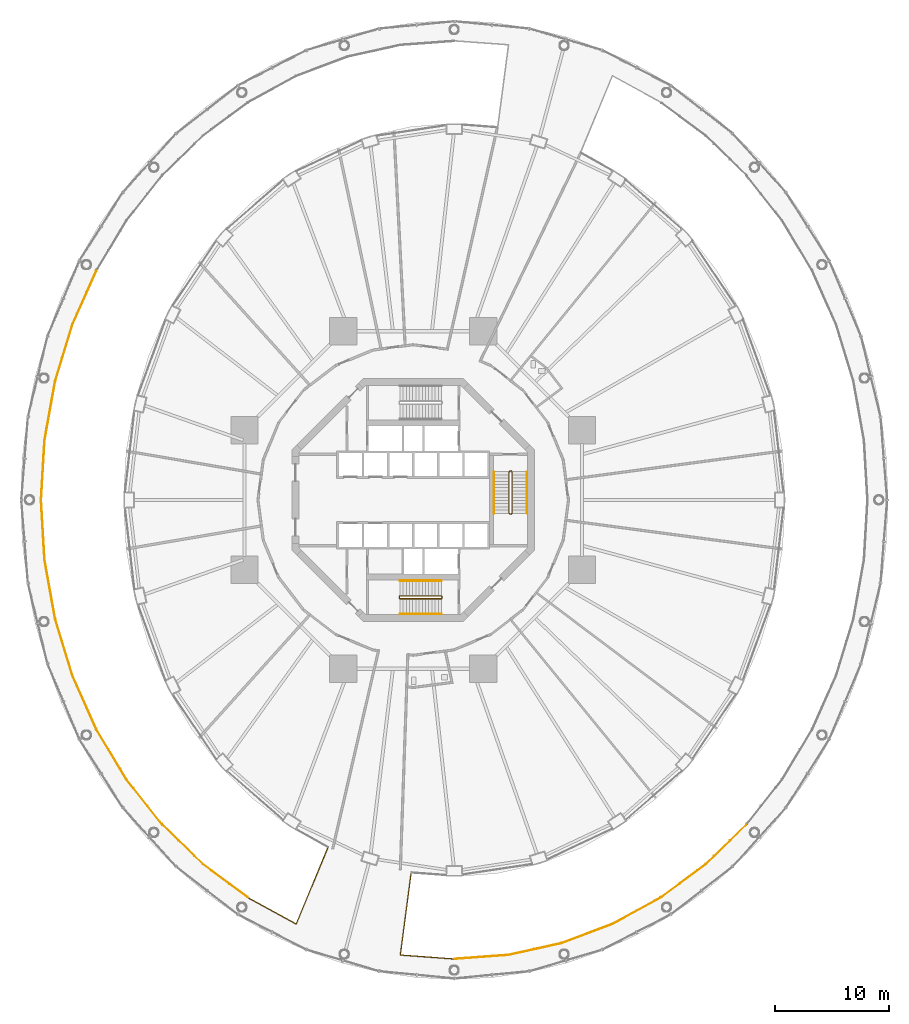
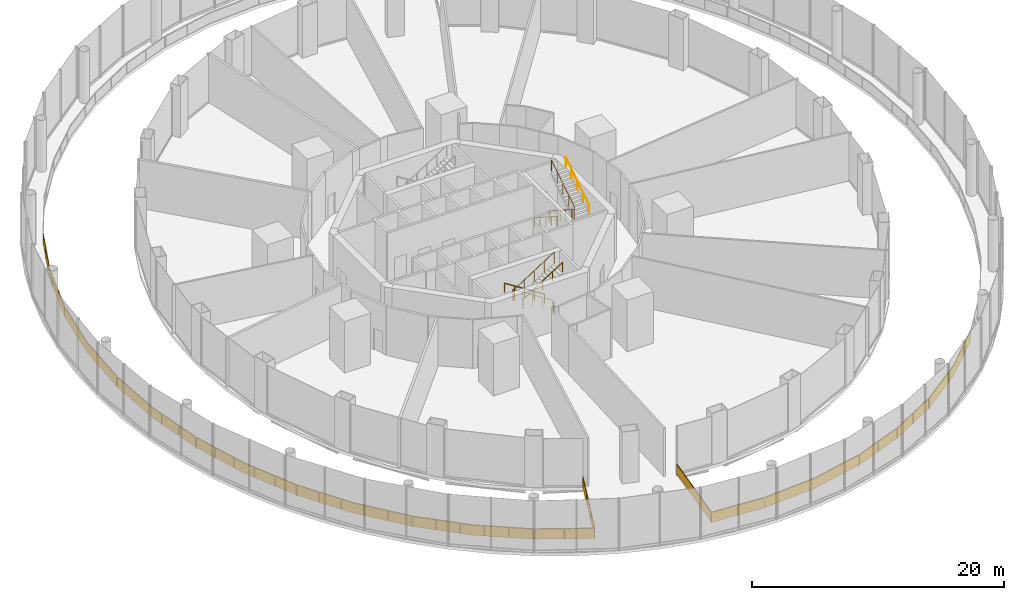
# One storey, part 46 of 48: 17 railings.
"""IFC4 building model written with IfcOpenShell, lengths in metres."""

from ifc_helpers import new_model, si_unit, direction, frame, origin, origin_2d, place, context, subcontext, project, spatial, polyline, rectangle, circle, outline, extrude, material, type_object, element, save


model = new_model("IFC4")

# Units and contexts
model_context = context("Model", 3, precision=1e-05, world=origin(), true_north=direction((0.0, 1.0)))
body_context = subcontext(model_context, "Body", "Model", "MODEL_VIEW")
ifc_project = project(units=[si_unit("LENGTHUNIT", "METRE"), si_unit("AREAUNIT", "SQUARE_METRE"), si_unit("VOLUMEUNIT", "CUBIC_METRE"), si_unit("PLANEANGLEUNIT", "RADIAN"), si_unit("MASSUNIT", "GRAM", prefix="KILO")], contexts=[model_context])

# Site, building, storey
site_placement = place(None, origin())
site = spatial("IfcSite", under=ifc_project, at=site_placement, CompositionType="ELEMENT")
building_placement = place(site_placement, origin())
building = spatial("IfcBuilding", under=site, at=building_placement, Name="Nagisa Residences", CompositionType="ELEMENT")
storey_placement = place(building_placement, frame((0.0, 0.0, 12.0)))
storey = spatial("IfcBuildingStorey", under=building, at=storey_placement, Name="L02", CompositionType="ELEMENT", Elevation=12.0)

# Railings
ifc_material_1 = material(Name="Stainless steel 316", Category="steel")
railing_type_1 = type_object("IfcRailingType", Name="ROOF GUARD 1100", PredefinedType="GUARDRAIL", material=ifc_material_1)
railing_1_placement = place(storey_placement, frame((-27.766357421875, 20.0634765625, 0.0)))
element("IfcRailing", 1, at=railing_1_placement, inside=storey, type_object=railing_type_1, Name="guard:L02:gal0-05", PredefinedType="GUARDRAIL", context=body_context, shape_type="SweptSolid", body=[
    extrude(outline(polyline([(-2.0546875, -4.6884765625), (0.02294921875, -0.01025390625), (-0.02294921875, 0.01025390625), (-2.1015625, -4.6708984375), (-3.6123046875, -9.61328125), (-3.564453125, -9.6279296875), (-2.0546875, -4.6884765625)])), frame((0.0, 0.0, 1.050048828125)), (0.0, 0.0, 1.0), 0.050048828125),
    extrude(outline(polyline([(-2.071533203125, -4.68212890625), (0.00634765625, -0.0029296875), (-0.00634765625, 0.0029296875), (-2.084716796875, -4.67724609375), (-3.594970703125, -9.61865234375), (-3.581787109375, -9.62255859375), (-2.071533203125, -4.68212890625)])), frame((0.0, 0.0, 0.06005859375)), (0.0, 0.0, 1.0), 0.989990234375),
    extrude(rectangle(XDim=0.0400390625, YDim=0.0400390625, at=origin_2d()), origin(), (0.0, 0.0, 1.0), 1.050048828125),
    extrude(rectangle(XDim=0.0400390625, YDim=0.0400390625, at=origin_2d()), frame((-0.8349609375, -1.88037109375, 0.0)), (0.0, 0.0, 1.0), 1.050048828125),
    extrude(rectangle(XDim=0.0400390625, YDim=0.0400390625, at=origin_2d()), frame((-1.669921875, -3.7607421875, 0.0)), (0.0, 0.0, 1.0), 1.050048828125),
    extrude(rectangle(XDim=0.0400390625, YDim=0.0400390625, at=origin_2d()), frame((-2.385498046875, -5.685546875, 0.0)), (0.0, 0.0, 1.0), 1.050048828125),
    extrude(rectangle(XDim=0.0400390625, YDim=0.0400390625, at=origin_2d()), frame((-2.987060546875, -7.653076171875, 0.0)), (0.0, 0.0, 1.0), 1.050048828125),
    extrude(rectangle(XDim=0.0400390625, YDim=0.0400390625, at=origin_2d()), frame((-3.58837890625, -9.62060546875, 0.0)), (0.0, 0.0, 1.0), 1.050048828125),
])
railing_2_placement = place(storey_placement, frame((-31.37353515625, 10.365234375, 0.0)))
element("IfcRailing", 2, at=railing_2_placement, inside=storey, type_object=railing_type_1, Name="guard:L02:gal0-06", PredefinedType="GUARDRAIL", context=body_context, shape_type="SweptSolid", body=[
    extrude(outline(polyline([(-0.891845703125, -5.12109375), (0.024658203125, -0.00439453125), (-0.024658203125, 0.00439453125), (-0.941650390625, -5.115234375), (-1.2490234375, -10.32373046875), (-1.19921875, -10.32666015625), (-0.891845703125, -5.12109375)])), frame((0.0, 0.0, 1.050048828125)), (0.0, 0.0, 1.0), 0.050048828125),
    extrude(outline(polyline([(-0.90966796875, -5.118896484375), (0.0068359375, -0.001220703125), (-0.0068359375, 0.001220703125), (-0.923828125, -5.117431640625), (-1.231201171875, -10.32470703125), (-1.217041015625, -10.32568359375), (-0.90966796875, -5.118896484375)])), frame((0.0, 0.0, 0.06005859375)), (0.0, 0.0, 1.0), 0.989990234375),
    extrude(rectangle(XDim=0.0400390625, YDim=0.0400390625, at=origin_2d()), origin(), (0.0, 0.0, 1.0), 1.050048828125),
    extrude(rectangle(XDim=0.0400390625, YDim=0.0400390625, at=origin_2d()), frame((-0.3671875, -2.050537109375, 0.0)), (0.0, 0.0, 1.0), 1.050048828125),
    extrude(rectangle(XDim=0.0400390625, YDim=0.0400390625, at=origin_2d()), frame((-0.734619140625, -4.10107421875, 0.0)), (0.0, 0.0, 1.0), 1.050048828125),
    extrude(rectangle(XDim=0.0400390625, YDim=0.0400390625, at=origin_2d()), frame((-0.978515625, -6.166259765625, 0.0)), (0.0, 0.0, 1.0), 1.050048828125),
    extrude(rectangle(XDim=0.0400390625, YDim=0.0400390625, at=origin_2d()), frame((-1.101318359375, -8.24560546875, 0.0)), (0.0, 0.0, 1.0), 1.050048828125),
    extrude(rectangle(XDim=0.0400390625, YDim=0.0400390625, at=origin_2d()), frame((-1.22412109375, -10.3251953125, 0.0)), (0.0, 0.0, 1.0), 1.050048828125),
])
railing_3_placement = place(storey_placement, frame((-32.59765625, -0.0400390625, 0.0)))
element("IfcRailing", 3, at=railing_3_placement, inside=storey, type_object=railing_type_1, Name="guard:L02:gal0-07", PredefinedType="GUARDRAIL", context=body_context, shape_type="SweptSolid", body=[
    extrude(outline(polyline([(0.332275390625, -5.2041015625), (0.02490234375, 0.00146484375), (-0.02490234375, -0.00146484375), (0.282470703125, -5.2099609375), (1.199462890625, -10.32958984375), (1.248779296875, -10.32080078125), (0.332275390625, -5.2041015625)])), frame((0.0, 0.0, 1.050048828125)), (0.0, 0.0, 1.0), 0.050048828125),
    extrude(outline(polyline([(0.314453125, -5.206298828125), (0.007080078125, 0.00048828125), (-0.007080078125, -0.00048828125), (0.30029296875, -5.207763671875), (1.21728515625, -10.326416015625), (1.23095703125, -10.323974609375), (0.314453125, -5.206298828125)])), frame((0.0, 0.0, 0.06005859375)), (0.0, 0.0, 1.0), 0.989990234375),
    extrude(rectangle(XDim=0.0400390625, YDim=0.0400390625, at=origin_2d()), origin(), (0.0, 0.0, 1.0), 1.050048828125),
    extrude(rectangle(XDim=0.0400390625, YDim=0.0400390625, at=origin_2d()), frame((0.122802734375, -2.07958984375, 0.0)), (0.0, 0.0, 1.0), 1.050048828125),
    extrude(rectangle(XDim=0.0400390625, YDim=0.0400390625, at=origin_2d()), frame((0.24560546875, -4.158935546875, 0.0)), (0.0, 0.0, 1.0), 1.050048828125),
    extrude(rectangle(XDim=0.0400390625, YDim=0.0400390625, at=origin_2d()), frame((0.489501953125, -6.22412109375, 0.0)), (0.0, 0.0, 1.0), 1.050048828125),
    extrude(rectangle(XDim=0.0400390625, YDim=0.0400390625, at=origin_2d()), frame((0.85693359375, -8.274658203125, 0.0)), (0.0, 0.0, 1.0), 1.050048828125),
    extrude(rectangle(XDim=0.0400390625, YDim=0.0400390625, at=origin_2d()), frame((1.22412109375, -10.3251953125, 0.0)), (0.0, 0.0, 1.0), 1.050048828125),
])
railing_4_placement = place(storey_placement, frame((-31.354736328125, -10.44287109375, 0.0)))
element("IfcRailing", 4, at=railing_4_placement, inside=storey, type_object=railing_type_1, Name="guard:L02:gal0-08", PredefinedType="GUARDRAIL", context=body_context, shape_type="SweptSolid", body=[
    extrude(outline(polyline([(1.53369140625, -4.93212890625), (0.02392578125, 0.00732421875), (-0.02392578125, -0.00732421875), (1.48681640625, -4.94970703125), (3.5654296875, -9.630859375), (3.611328125, -9.6103515625), (1.53369140625, -4.93212890625)])), frame((0.0, 0.0, 1.050048828125)), (0.0, 0.0, 1.0), 0.050048828125),
    extrude(outline(polyline([(1.516845703125, -4.9384765625), (0.006591796875, 0.001953125), (-0.006591796875, -0.001953125), (1.503662109375, -4.943359375), (3.58203125, -9.62353515625), (3.5947265625, -9.61767578125), (1.516845703125, -4.9384765625)])), frame((0.0, 0.0, 0.06005859375)), (0.0, 0.0, 1.0), 0.989990234375),
    extrude(rectangle(XDim=0.0400390625, YDim=0.0400390625, at=origin_2d()), origin(), (0.0, 0.0, 1.0), 1.050048828125),
    extrude(rectangle(XDim=0.0400390625, YDim=0.0400390625, at=origin_2d()), frame((0.601318359375, -1.967529296875, 0.0)), (0.0, 0.0, 1.0), 1.050048828125),
    extrude(rectangle(XDim=0.0400390625, YDim=0.0400390625, at=origin_2d()), frame((1.202880859375, -3.93505859375, 0.0)), (0.0, 0.0, 1.0), 1.050048828125),
    extrude(rectangle(XDim=0.0400390625, YDim=0.0400390625, at=origin_2d()), frame((1.91845703125, -5.85986328125, 0.0)), (0.0, 0.0, 1.0), 1.050048828125),
    extrude(rectangle(XDim=0.0400390625, YDim=0.0400390625, at=origin_2d()), frame((2.75341796875, -7.740234375, 0.0)), (0.0, 0.0, 1.0), 1.050048828125),
    extrude(rectangle(XDim=0.0400390625, YDim=0.0400390625, at=origin_2d()), frame((3.58837890625, -9.62060546875, 0.0)), (0.0, 0.0, 1.0), 1.050048828125),
])
railing_5_placement = place(storey_placement, frame((-27.7294921875, -20.13427734375, 0.0)))
element("IfcRailing", 5, at=railing_5_placement, inside=storey, type_object=railing_type_1, Name="guard:L02:gal0-09", PredefinedType="GUARDRAIL", context=body_context, shape_type="SweptSolid", body=[
    extrude(outline(polyline([(2.630615234375, -4.32373046875), (0.021484375, 0.012939453125), (-0.021484375, -0.012939453125), (2.589599609375, -4.35205078125), (5.68798828125, -8.275634765625), (5.72705078125, -8.244384765625), (2.630615234375, -4.32373046875)])), frame((0.0, 0.0, 1.050048828125)), (0.0, 0.0, 1.0), 0.050048828125),
    extrude(outline(polyline([(2.615966796875, -4.333984375), (0.006103515625, 0.003662109375), (-0.006103515625, -0.003662109375), (2.604248046875, -4.341796875), (5.701904296875, -8.264404296875), (5.713134765625, -8.255615234375), (2.615966796875, -4.333984375)])), frame((0.0, 0.0, 0.06005859375)), (0.0, 0.0, 1.0), 0.989990234375),
    extrude(rectangle(XDim=0.0400390625, YDim=0.0400390625, at=origin_2d()), origin(), (0.0, 0.0, 1.0), 1.050048828125),
    extrude(rectangle(XDim=0.0400390625, YDim=0.0400390625, at=origin_2d()), frame((1.037353515625, -1.72412109375, 0.0)), (0.0, 0.0, 1.0), 1.050048828125),
    extrude(rectangle(XDim=0.0400390625, YDim=0.0400390625, at=origin_2d()), frame((2.07470703125, -3.447998046875, 0.0)), (0.0, 0.0, 1.0), 1.050048828125),
    extrude(rectangle(XDim=0.0400390625, YDim=0.0400390625, at=origin_2d()), frame((3.21337890625, -5.10205078125, 0.0)), (0.0, 0.0, 1.0), 1.050048828125),
    extrude(rectangle(XDim=0.0400390625, YDim=0.0400390625, at=origin_2d()), frame((4.46044921875, -6.680908203125, 0.0)), (0.0, 0.0, 1.0), 1.050048828125),
    extrude(rectangle(XDim=0.0400390625, YDim=0.0400390625, at=origin_2d()), frame((5.70751953125, -8.260009765625, 0.0)), (0.0, 0.0, 1.0), 1.050048828125),
])
railing_6_placement = place(storey_placement, frame((-21.968505859375, -28.45361328125, 0.0)))
element("IfcRailing", 6, at=railing_6_placement, inside=storey, type_object=railing_type_1, Name="guard:L02:gal0-10", PredefinedType="GUARDRAIL", context=body_context, shape_type="SweptSolid", body=[
    extrude(outline(polyline([(3.547607421875, -3.420166015625), (0.017578125, 0.017822265625), (-0.017578125, -0.017822265625), (3.514892578125, -3.458251953125), (7.42138671875, -6.356689453125), (7.451171875, -6.316650390625), (3.547607421875, -3.420166015625)])), frame((0.0, 0.0, 1.050048828125)), (0.0, 0.0, 1.0), 0.050048828125),
    extrude(outline(polyline([(3.535888671875, -3.433837890625), (0.0048828125, 0.005126953125), (-0.0048828125, -0.005126953125), (3.526611328125, -3.444580078125), (7.43212890625, -6.34228515625), (7.4404296875, -6.3310546875), (3.535888671875, -3.433837890625)])), frame((0.0, 0.0, 0.06005859375)), (0.0, 0.0, 1.0), 0.989990234375),
    extrude(rectangle(XDim=0.0400390625, YDim=0.0400390625, at=origin_2d()), origin(), (0.0, 0.0, 1.0), 1.050048828125),
    extrude(rectangle(XDim=0.0400390625, YDim=0.0400390625, at=origin_2d()), frame((1.40283203125, -1.366455078125, 0.0)), (0.0, 0.0, 1.0), 1.050048828125),
    extrude(rectangle(XDim=0.0400390625, YDim=0.0400390625, at=origin_2d()), frame((2.805908203125, -2.732666015625, 0.0)), (0.0, 0.0, 1.0), 1.050048828125),
    extrude(rectangle(XDim=0.0400390625, YDim=0.0400390625, at=origin_2d()), frame((4.290771484375, -4.002685546875, 0.0)), (0.0, 0.0, 1.0), 1.050048828125),
    extrude(rectangle(XDim=0.0400390625, YDim=0.0400390625, at=origin_2d()), frame((5.863525390625, -5.169677734375, 0.0)), (0.0, 0.0, 1.0), 1.050048828125),
    extrude(rectangle(XDim=0.0400390625, YDim=0.0400390625, at=origin_2d()), frame((7.436279296875, -6.336669921875, 0.0)), (0.0, 0.0, 1.0), 1.050048828125),
])
railing_7_placement = place(storey_placement, frame((-14.46484375, -34.83349609375, 0.0)))
element("IfcRailing", 7, at=railing_7_placement, inside=storey, type_object=railing_type_1, Name="guard:L02:gal0-11", PredefinedType="GUARDRAIL", context=body_context, shape_type="SweptSolid", body=[
    extrude(outline(polyline([(4.19921875, -2.27099609375), (0.011962890625, 0.02197265625), (-0.011962890625, -0.02197265625), (4.22412109375, -2.341796875), (6.974853515625, 4.299072265625), (6.928466796875, 4.318115234375), (4.19921875, -2.27099609375)])), frame((0.0, 0.0, 1.050048828125)), (0.0, 0.0, 1.0), 0.050048828125),
    extrude(outline(polyline([(4.208251953125, -2.296630859375), (0.00341796875, 0.006103515625), (-0.00341796875, -0.006103515625), (4.215087890625, -2.316162109375), (6.9580078125, 4.305908203125), (6.9453125, 4.311279296875), (4.208251953125, -2.296630859375)])), frame((0.0, 0.0, 0.06005859375)), (0.0, 0.0, 1.0), 0.989990234375),
    extrude(rectangle(XDim=0.0400390625, YDim=0.0400390625, at=origin_2d()), origin(), (0.0, 0.0, 1.0), 1.050048828125),
    extrude(rectangle(XDim=0.0400390625, YDim=0.0400390625, at=origin_2d()), frame((2.098388671875, -1.149169921875, 0.0)), (0.0, 0.0, 1.0), 1.050048828125),
    extrude(rectangle(XDim=0.0400390625, YDim=0.0400390625, at=origin_2d()), frame((4.19677734375, -2.298095703125, 0.0)), (0.0, 0.0, 1.0), 1.050048828125),
    extrude(rectangle(XDim=0.0400390625, YDim=0.0400390625, at=origin_2d()), frame((5.12060546875, -0.11181640625, 0.0)), (0.0, 0.0, 1.0), 1.050048828125),
    extrude(rectangle(XDim=0.0400390625, YDim=0.0400390625, at=origin_2d()), frame((6.0361328125, 2.098388671875, 0.0)), (0.0, 0.0, 1.0), 1.050048828125),
    extrude(rectangle(XDim=0.0400390625, YDim=0.0400390625, at=origin_2d()), frame((6.95166015625, 4.30859375, 0.0)), (0.0, 0.0, 1.0), 1.050048828125),
])
railing_8_placement = place(storey_placement, frame((-0.1904296875, -32.75732421875, 0.0)))
element("IfcRailing", 8, at=railing_8_placement, inside=storey, type_object=railing_type_1, Name="guard:L02:gal1-00", PredefinedType="GUARDRAIL", context=body_context, shape_type="SweptSolid", body=[
    extrude(outline(polyline([(-0.90625, -7.075927734375), (0.02490234375, -0.003173828125), (-0.02490234375, 0.003173828125), (-0.962890625, -7.121826171875), (3.748779296875, -7.464599609375), (3.752197265625, -7.414794921875), (-0.90625, -7.075927734375)])), frame((0.0, 0.0, 1.050048828125)), (0.0, 0.0, 1.0), 0.050048828125),
    extrude(outline(polyline([(-0.9267578125, -7.092529296875), (0.0068359375, -0.0009765625), (-0.0068359375, 0.0009765625), (-0.9423828125, -7.105224609375), (3.75, -7.44677734375), (3.7509765625, -7.4326171875), (-0.9267578125, -7.092529296875)])), frame((0.0, 0.0, 0.06005859375)), (0.0, 0.0, 1.0), 0.989990234375),
    extrude(rectangle(XDim=0.0400390625, YDim=0.0400390625, at=origin_2d()), origin(), (0.0, 0.0, 1.0), 1.050048828125),
    extrude(rectangle(XDim=0.0400390625, YDim=0.0400390625, at=origin_2d()), frame((-0.3095703125, -2.351318359375, 0.0)), (0.0, 0.0, 1.0), 1.050048828125),
    extrude(rectangle(XDim=0.0400390625, YDim=0.0400390625, at=origin_2d()), frame((-0.619140625, -4.702392578125, 0.0)), (0.0, 0.0, 1.0), 1.050048828125),
    extrude(rectangle(XDim=0.0400390625, YDim=0.0400390625, at=origin_2d()), frame((-0.9287109375, -7.0537109375, 0.0)), (0.0, 0.0, 1.0), 1.050048828125),
    extrude(rectangle(XDim=0.0400390625, YDim=0.0400390625, at=origin_2d()), frame((1.38525390625, -7.267578125, 0.0)), (0.0, 0.0, 1.0), 1.050048828125),
    extrude(rectangle(XDim=0.0400390625, YDim=0.0400390625, at=origin_2d()), frame((3.75048828125, -7.439697265625, 0.0)), (0.0, 0.0, 1.0), 1.050048828125),
])
railing_9_placement = place(storey_placement, frame((3.639892578125, -40.197021484375, 0.0)))
element("IfcRailing", 9, at=railing_9_placement, inside=storey, type_object=railing_type_1, Name="guard:L02:gal1-01", PredefinedType="GUARDRAIL", context=body_context, shape_type="SweptSolid", body=[
    extrude(outline(polyline([(4.681396484375, 0.36572265625), (-0.001708984375, 0.02490234375), (0.001708984375, -0.02490234375), (4.688720703125, 0.31591796875), (9.295654296875, 1.333740234375), (9.284912109375, 1.382568359375), (4.681396484375, 0.36572265625)])), frame((0.0, 0.0, 1.050048828125)), (0.0, 0.0, 1.0), 0.050048828125),
    extrude(outline(polyline([(4.68408203125, 0.34765625), (-0.00048828125, 0.007080078125), (0.00048828125, -0.007080078125), (4.68603515625, 0.333984375), (9.291748046875, 1.351318359375), (9.288818359375, 1.364990234375), (4.68408203125, 0.34765625)])), frame((0.0, 0.0, 0.06005859375)), (0.0, 0.0, 1.0), 0.989990234375),
    extrude(rectangle(XDim=0.0400390625, YDim=0.0400390625, at=origin_2d()), origin(), (0.0, 0.0, 1.0), 1.050048828125),
    extrude(rectangle(XDim=0.0400390625, YDim=0.0400390625, at=origin_2d()), frame((2.34716796875, 0.170654296875, 0.0)), (0.0, 0.0, 1.0), 1.050048828125),
    extrude(rectangle(XDim=0.0400390625, YDim=0.0400390625, at=origin_2d()), frame((4.6943359375, 0.3427734375, 0.0)), (0.0, 0.0, 1.0), 1.050048828125),
    extrude(rectangle(XDim=0.0400390625, YDim=0.0400390625, at=origin_2d()), frame((6.9921875, 0.8505859375, 0.0)), (0.0, 0.0, 1.0), 1.050048828125),
    extrude(rectangle(XDim=0.0400390625, YDim=0.0400390625, at=origin_2d()), frame((9.290283203125, 1.358154296875, 0.0)), (0.0, 0.0, 1.0), 1.050048828125),
])
railing_10_placement = place(storey_placement, frame((13.006591796875, -38.816162109375, 0.0)))
element("IfcRailing", 10, at=railing_10_placement, inside=storey, type_object=railing_type_1, Name="guard:L02:gal1-02", PredefinedType="GUARDRAIL", context=body_context, shape_type="SweptSolid", body=[
    extrude(outline(polyline([(4.43603515625, 1.698974609375), (-0.0087890625, 0.0234375), (0.0087890625, -0.0234375), (4.45703125, 1.653564453125), (8.670166015625, 3.960693359375), (8.646240234375, 4.004638671875), (4.43603515625, 1.698974609375)])), frame((0.0, 0.0, 1.050048828125)), (0.0, 0.0, 1.0), 0.050048828125),
    extrude(outline(polyline([(4.443603515625, 1.6826171875), (-0.00244140625, 0.006591796875), (0.00244140625, -0.006591796875), (4.449462890625, 1.669921875), (8.66162109375, 3.9765625), (8.65478515625, 3.98876953125), (4.443603515625, 1.6826171875)])), frame((0.0, 0.0, 0.06005859375)), (0.0, 0.0, 1.0), 0.989990234375),
    extrude(rectangle(XDim=0.0400390625, YDim=0.0400390625, at=origin_2d()), origin(), (0.0, 0.0, 1.0), 1.050048828125),
    extrude(rectangle(XDim=0.0400390625, YDim=0.0400390625, at=origin_2d()), frame((2.23486328125, 0.842529296875, 0.0)), (0.0, 0.0, 1.0), 1.050048828125),
    extrude(rectangle(XDim=0.0400390625, YDim=0.0400390625, at=origin_2d()), frame((4.468505859375, 1.688232421875, 0.0)), (0.0, 0.0, 1.0), 1.050048828125),
    extrude(rectangle(XDim=0.0400390625, YDim=0.0400390625, at=origin_2d()), frame((6.563232421875, 2.83544921875, 0.0)), (0.0, 0.0, 1.0), 1.050048828125),
    extrude(rectangle(XDim=0.0400390625, YDim=0.0400390625, at=origin_2d()), frame((8.658203125, 3.982666015625, 0.0)), (0.0, 0.0, 1.0), 1.050048828125),
])
railing_11_placement = place(storey_placement, frame((21.732177734375, -34.790283203125, 0.0)))
element("IfcRailing", 11, at=railing_11_placement, inside=storey, type_object=railing_type_1, Name="guard:L02:gal1-03", PredefinedType="GUARDRAIL", context=body_context, shape_type="SweptSolid", body=[
    extrude(outline(polyline([(3.888671875, 2.91650390625), (-0.014892578125, 0.02001953125), (0.014892578125, -0.02001953125), (3.92138671875, 2.87841796875), (7.4541015625, 6.31884765625), (7.4189453125, 6.3544921875), (3.888671875, 2.91650390625)])), frame((0.0, 0.0, 1.050048828125)), (0.0, 0.0, 1.0), 0.050048828125),
    extrude(outline(polyline([(3.900390625, 2.90283203125), (-0.004150390625, 0.005615234375), (0.004150390625, -0.005615234375), (3.90966796875, 2.89208984375), (7.44140625, 6.33154296875), (7.431640625, 6.341796875), (3.900390625, 2.90283203125)])), frame((0.0, 0.0, 0.06005859375)), (0.0, 0.0, 1.0), 0.989990234375),
    extrude(rectangle(XDim=0.0400390625, YDim=0.0400390625, at=origin_2d()), origin(), (0.0, 0.0, 1.0), 1.050048828125),
    extrude(rectangle(XDim=0.0400390625, YDim=0.0400390625, at=origin_2d()), frame((1.57275390625, 1.1669921875, 0.0)), (0.0, 0.0, 1.0), 1.050048828125),
    extrude(rectangle(XDim=0.0400390625, YDim=0.0400390625, at=origin_2d()), frame((3.1455078125, 2.333984375, 0.0)), (0.0, 0.0, 1.0), 1.050048828125),
    extrude(rectangle(XDim=0.0400390625, YDim=0.0400390625, at=origin_2d()), frame((4.630615234375, 3.60400390625, 0.0)), (0.0, 0.0, 1.0), 1.050048828125),
    extrude(rectangle(XDim=0.0400390625, YDim=0.0400390625, at=origin_2d()), frame((6.033447265625, 4.97021484375, 0.0)), (0.0, 0.0, 1.0), 1.050048828125),
    extrude(rectangle(XDim=0.0400390625, YDim=0.0400390625, at=origin_2d()), frame((7.4365234375, 6.336669921875, 0.0)), (0.0, 0.0, 1.0), 1.050048828125),
])
ifc_material_2 = material(Name="Stainless steel", Category="steel")
railing_type_2 = type_object("IfcRailingType", Name="Stair guard 1100", PredefinedType="GUARDRAIL", material=ifc_material_2)
railing_12_placement = place(storey_placement, frame((8.599609375, 2.52490234375, 0.0)))
element("IfcRailing", 12, at=railing_12_placement, inside=storey, type_object=railing_type_2, Name="L02 ST-E stair guard 1", PredefinedType="GUARDRAIL", context=body_context, shape_type="SweptSolid", body=[
    extrude(circle(Radius=0.02392578125, at=origin_2d()), frame((0.0, 0.0, 1.076171875), z_axis=(-1.0, 0.0, 0.0), x_axis=(0.0, -1.0, 0.0)), (0.0, 0.0, 1.0), 0.14990234375),
    extrude(circle(Radius=0.02392578125, at=origin_2d()), frame((-0.14990234375, 0.0, 1.076171875), z_axis=(-0.26077077684, -0.25949872427, 0.929870428634), x_axis=(0.705375805398, -0.708833529934, 0.0)), (0.0, 0.0, 1.0), 0.19189453125),
    extrude(circle(Radius=0.02392578125, at=origin_2d()), frame((-0.199951171875, -0.0498046875, 1.25439453125), z_axis=(0.0, -0.843127859045, 0.537713132908), x_axis=(1.0, 0.0, 0.0)), (0.0, 0.0, 1.0), 4.3173828125),
    extrude(circle(Radius=0.02392578125, at=origin_2d()), frame((-0.199951171875, -3.68994140625, 3.576171875), z_axis=(0.707106781187, -0.707106781187, 0.0), x_axis=(0.707106781187, 0.707106781187, 0.0)), (0.0, 0.0, 1.0), 0.07080078125),
    extrude(circle(Radius=0.02392578125, at=origin_2d()), frame((-0.14990234375, -3.739990234375, 3.576171875), z_axis=(1.0, 0.0, 0.0), x_axis=(0.0, 1.0, 0.0)), (0.0, 0.0, 1.0), 0.14990234375),
    extrude(circle(Radius=0.02392578125, at=origin_2d()), frame((0.0, -3.739990234375, 3.576171875), z_axis=(0.260684529273, 0.260684529273, 0.929562882432), x_axis=(-0.707106781187, 0.707106781187, 0.0)), (0.0, 0.0, 1.0), 0.19189453125),
    extrude(circle(Radius=0.02392578125, at=origin_2d()), frame((0.050048828125, -3.68994140625, 3.75439453125), z_axis=(0.0, 0.843127859045, 0.537713132908), x_axis=(-1.0, 0.0, 0.0)), (0.0, 0.0, 1.0), 4.3173828125),
    extrude(circle(Radius=0.02099609375, at=origin_2d()), origin(), (0.0, 0.0, 1.0), 1.052001953125),
    extrude(circle(Radius=0.02099609375, at=origin_2d()), frame((-0.14990234375, 0.0, 0.0)), (0.0, 0.0, 1.0), 1.052001953125),
    extrude(circle(Radius=0.02099609375, at=origin_2d()), frame((-0.199951171875, -0.0498046875, 0.178466796875)), (0.0, 0.0, 1.0), 1.052001953125),
    extrude(circle(Radius=0.02099609375, at=origin_2d()), frame((-0.199951171875, -0.9599609375, 0.7587890625)), (0.0, 0.0, 1.0), 1.052001953125),
    extrude(circle(Radius=0.02099609375, at=origin_2d()), frame((-0.199951171875, -1.869873046875, 1.33935546875)), (0.0, 0.0, 1.0), 1.052001953125),
    extrude(circle(Radius=0.02099609375, at=origin_2d()), frame((-0.199951171875, -2.77978515625, 1.919677734375)), (0.0, 0.0, 1.0), 1.052001953125),
    extrude(circle(Radius=0.02099609375, at=origin_2d()), frame((-0.199951171875, -3.68994140625, 2.5)), (0.0, 0.0, 1.0), 1.052001953125),
    extrude(circle(Radius=0.02099609375, at=origin_2d()), frame((-0.14990234375, -3.739990234375, 2.5)), (0.0, 0.0, 1.0), 1.052001953125),
    extrude(circle(Radius=0.02099609375, at=origin_2d()), frame((0.0, -3.739990234375, 2.5)), (0.0, 0.0, 1.0), 1.052001953125),
    extrude(circle(Radius=0.02099609375, at=origin_2d()), frame((0.050048828125, -3.68994140625, 2.678466796875)), (0.0, 0.0, 1.0), 1.052001953125),
    extrude(circle(Radius=0.02099609375, at=origin_2d()), frame((0.050048828125, -2.77978515625, 3.2587890625)), (0.0, 0.0, 1.0), 1.052001953125),
    extrude(circle(Radius=0.02099609375, at=origin_2d()), frame((0.050048828125, -1.869873046875, 3.83935546875)), (0.0, 0.0, 1.0), 1.052001953125),
    extrude(circle(Radius=0.02099609375, at=origin_2d()), frame((0.050048828125, -0.9599609375, 4.419677734375)), (0.0, 0.0, 1.0), 1.052001953125),
    extrude(circle(Radius=0.02099609375, at=origin_2d()), frame((0.050048828125, -0.0498046875, 5.0)), (0.0, 0.0, 1.0), 1.052001953125),
])
railing_13_placement = place(storey_placement, frame((2.52490234375, -8.599609375, 0.0)))
element("IfcRailing", 13, at=railing_13_placement, inside=storey, type_object=railing_type_2, Name="L02 ST-S stair guard 1", PredefinedType="GUARDRAIL", context=body_context, shape_type="SweptSolid", body=[
    extrude(circle(Radius=0.02392578125, at=origin_2d()), frame((0.0, 0.0, 1.076171875), z_axis=(0.0, 1.0, 0.0), x_axis=(-1.0, 0.0, 0.0)), (0.0, 0.0, 1.0), 0.14990234375),
    extrude(circle(Radius=0.02392578125, at=origin_2d()), frame((0.0, 0.14990234375, 1.076171875), z_axis=(-0.25949872427, 0.26077077684, 0.929870428634), x_axis=(-0.708833529934, -0.705375805398, 0.0)), (0.0, 0.0, 1.0), 0.19189453125),
    extrude(circle(Radius=0.02392578125, at=origin_2d()), frame((-0.0498046875, 0.199951171875, 1.25439453125), z_axis=(-0.843127859045, 0.0, 0.537713132908), x_axis=(0.0, -1.0, 0.0)), (0.0, 0.0, 1.0), 4.3173828125),
    extrude(circle(Radius=0.02392578125, at=origin_2d()), frame((-3.68994140625, 0.199951171875, 3.576171875), z_axis=(-0.707106781187, -0.707106781187, 0.0), x_axis=(0.707106781187, -0.707106781187, 0.0)), (0.0, 0.0, 1.0), 0.07080078125),
    extrude(circle(Radius=0.02392578125, at=origin_2d()), frame((-3.739990234375, 0.14990234375, 3.576171875), z_axis=(0.0, -1.0, 0.0), x_axis=(1.0, 0.0, 0.0)), (0.0, 0.0, 1.0), 0.14990234375),
    extrude(circle(Radius=0.02392578125, at=origin_2d()), frame((-3.739990234375, 0.0, 3.576171875), z_axis=(0.260684529273, -0.260684529273, 0.929562882432), x_axis=(0.707106781187, 0.707106781187, 0.0)), (0.0, 0.0, 1.0), 0.19189453125),
    extrude(circle(Radius=0.02392578125, at=origin_2d()), frame((-3.68994140625, -0.050048828125, 3.75439453125), z_axis=(0.843127859045, 0.0, 0.537713132908), x_axis=(0.0, 1.0, 0.0)), (0.0, 0.0, 1.0), 4.3173828125),
    extrude(circle(Radius=0.02099609375, at=origin_2d()), origin(), (0.0, 0.0, 1.0), 1.052001953125),
    extrude(circle(Radius=0.02099609375, at=origin_2d()), frame((0.0, 0.14990234375, 0.0)), (0.0, 0.0, 1.0), 1.052001953125),
    extrude(circle(Radius=0.02099609375, at=origin_2d()), frame((-0.0498046875, 0.199951171875, 0.178466796875)), (0.0, 0.0, 1.0), 1.052001953125),
    extrude(circle(Radius=0.02099609375, at=origin_2d()), frame((-0.9599609375, 0.199951171875, 0.7587890625)), (0.0, 0.0, 1.0), 1.052001953125),
    extrude(circle(Radius=0.02099609375, at=origin_2d()), frame((-1.869873046875, 0.199951171875, 1.33935546875)), (0.0, 0.0, 1.0), 1.052001953125),
    extrude(circle(Radius=0.02099609375, at=origin_2d()), frame((-2.77978515625, 0.199951171875, 1.919677734375)), (0.0, 0.0, 1.0), 1.052001953125),
    extrude(circle(Radius=0.02099609375, at=origin_2d()), frame((-3.68994140625, 0.199951171875, 2.5)), (0.0, 0.0, 1.0), 1.052001953125),
    extrude(circle(Radius=0.02099609375, at=origin_2d()), frame((-3.739990234375, 0.14990234375, 2.5)), (0.0, 0.0, 1.0), 1.052001953125),
    extrude(circle(Radius=0.02099609375, at=origin_2d()), frame((-3.739990234375, 0.0, 2.5)), (0.0, 0.0, 1.0), 1.052001953125),
    extrude(circle(Radius=0.02099609375, at=origin_2d()), frame((-3.68994140625, -0.050048828125, 2.678466796875)), (0.0, 0.0, 1.0), 1.052001953125),
    extrude(circle(Radius=0.02099609375, at=origin_2d()), frame((-2.77978515625, -0.050048828125, 3.2587890625)), (0.0, 0.0, 1.0), 1.052001953125),
    extrude(circle(Radius=0.02099609375, at=origin_2d()), frame((-1.869873046875, -0.050048828125, 3.83935546875)), (0.0, 0.0, 1.0), 1.052001953125),
    extrude(circle(Radius=0.02099609375, at=origin_2d()), frame((-0.9599609375, -0.050048828125, 4.419677734375)), (0.0, 0.0, 1.0), 1.052001953125),
    extrude(circle(Radius=0.02099609375, at=origin_2d()), frame((-0.0498046875, -0.050048828125, 5.0)), (0.0, 0.0, 1.0), 1.052001953125),
])
ifc_material_3 = material(Name="Stainless steel", Category="steel")
railing_type_3 = type_object("IfcRailingType", Name="Stair handrail 900", PredefinedType="HANDRAIL", material=ifc_material_3)
railing_14_placement = place(storey_placement, frame((7.07470703125, 2.47509765625, 0.178466796875)))
element("IfcRailing", 14, at=railing_14_placement, inside=storey, type_object=railing_type_3, Name="L02 ST-E stair handrail 1", PredefinedType="HANDRAIL", context=body_context, shape_type="SweptSolid", body=[
    extrude(circle(Radius=0.02392578125, at=origin_2d()), frame((0.0, 0.0, 0.8759765625), z_axis=(0.0, -0.843127859045, 0.537713132908), x_axis=(1.0, 0.0, 0.0)), (0.0, 0.0, 1.0), 4.3173828125),
    extrude(circle(Radius=0.02099609375, at=origin_2d()), origin(), (0.0, 0.0, 1.0), 0.851806640625),
    extrude(circle(Radius=0.02099609375, at=origin_2d()), frame((0.0, -0.91015625, 0.580322265625)), (0.0, 0.0, 1.0), 0.851806640625),
    extrude(circle(Radius=0.02099609375, at=origin_2d()), frame((0.0, -1.820068359375, 1.16064453125)), (0.0, 0.0, 1.0), 0.851806640625),
    extrude(circle(Radius=0.02099609375, at=origin_2d()), frame((0.0, -2.72998046875, 1.7412109375)), (0.0, 0.0, 1.0), 0.851806640625),
    extrude(circle(Radius=0.02099609375, at=origin_2d()), frame((0.0, -3.64013671875, 2.321533203125)), (0.0, 0.0, 1.0), 0.851806640625),
])
railing_15_placement = place(storey_placement, frame((9.974609375, -1.1650390625, 2.678466796875)))
element("IfcRailing", 15, at=railing_15_placement, inside=storey, type_object=railing_type_3, Name="L02 ST-E stair handrail 2", PredefinedType="HANDRAIL", context=body_context, shape_type="SweptSolid", body=[
    extrude(circle(Radius=0.02392578125, at=origin_2d()), frame((0.0, 0.0, 0.8759765625), z_axis=(0.0, 0.843127859045, 0.537713132908), x_axis=(-1.0, 0.0, 0.0)), (0.0, 0.0, 1.0), 4.3173828125),
    extrude(circle(Radius=0.02099609375, at=origin_2d()), origin(), (0.0, 0.0, 1.0), 0.851806640625),
    extrude(circle(Radius=0.02099609375, at=origin_2d()), frame((0.0, 0.91015625, 0.580322265625)), (0.0, 0.0, 1.0), 0.851806640625),
    extrude(circle(Radius=0.02099609375, at=origin_2d()), frame((0.0, 1.820068359375, 1.16064453125)), (0.0, 0.0, 1.0), 0.851806640625),
    extrude(circle(Radius=0.02099609375, at=origin_2d()), frame((0.0, 2.72998046875, 1.7412109375)), (0.0, 0.0, 1.0), 0.851806640625),
    extrude(circle(Radius=0.02099609375, at=origin_2d()), frame((0.0, 3.64013671875, 2.321533203125)), (0.0, 0.0, 1.0), 0.851806640625),
])
railing_16_placement = place(storey_placement, frame((2.47509765625, -7.07470703125, 0.178466796875)))
element("IfcRailing", 16, at=railing_16_placement, inside=storey, type_object=railing_type_3, Name="L02 ST-S stair handrail 1", PredefinedType="HANDRAIL", context=body_context, shape_type="SweptSolid", body=[
    extrude(circle(Radius=0.02392578125, at=origin_2d()), frame((0.0, 0.0, 0.8759765625), z_axis=(-0.843127859045, 0.0, 0.537713132908), x_axis=(0.0, -1.0, 0.0)), (0.0, 0.0, 1.0), 4.3173828125),
    extrude(circle(Radius=0.02099609375, at=origin_2d()), origin(), (0.0, 0.0, 1.0), 0.851806640625),
    extrude(circle(Radius=0.02099609375, at=origin_2d()), frame((-0.91015625, 0.0, 0.580322265625)), (0.0, 0.0, 1.0), 0.851806640625),
    extrude(circle(Radius=0.02099609375, at=origin_2d()), frame((-1.820068359375, 0.0, 1.16064453125)), (0.0, 0.0, 1.0), 0.851806640625),
    extrude(circle(Radius=0.02099609375, at=origin_2d()), frame((-2.72998046875, 0.0, 1.7412109375)), (0.0, 0.0, 1.0), 0.851806640625),
    extrude(circle(Radius=0.02099609375, at=origin_2d()), frame((-3.64013671875, 0.0, 2.321533203125)), (0.0, 0.0, 1.0), 0.851806640625),
])
railing_17_placement = place(storey_placement, frame((-1.1650390625, -9.974609375, 2.678466796875)))
element("IfcRailing", 17, at=railing_17_placement, inside=storey, type_object=railing_type_3, Name="L02 ST-S stair handrail 2", PredefinedType="HANDRAIL", context=body_context, shape_type="SweptSolid", body=[
    extrude(circle(Radius=0.02392578125, at=origin_2d()), frame((0.0, 0.0, 0.8759765625), z_axis=(0.843127859045, 0.0, 0.537713132908), x_axis=(0.0, 1.0, 0.0)), (0.0, 0.0, 1.0), 4.3173828125),
    extrude(circle(Radius=0.02099609375, at=origin_2d()), origin(), (0.0, 0.0, 1.0), 0.851806640625),
    extrude(circle(Radius=0.02099609375, at=origin_2d()), frame((0.91015625, 0.0, 0.580322265625)), (0.0, 0.0, 1.0), 0.851806640625),
    extrude(circle(Radius=0.02099609375, at=origin_2d()), frame((1.820068359375, 0.0, 1.16064453125)), (0.0, 0.0, 1.0), 0.851806640625),
    extrude(circle(Radius=0.02099609375, at=origin_2d()), frame((2.72998046875, 0.0, 1.7412109375)), (0.0, 0.0, 1.0), 0.851806640625),
    extrude(circle(Radius=0.02099609375, at=origin_2d()), frame((3.64013671875, 0.0, 2.321533203125)), (0.0, 0.0, 1.0), 0.851806640625),
])

save(model, "model.ifc")
